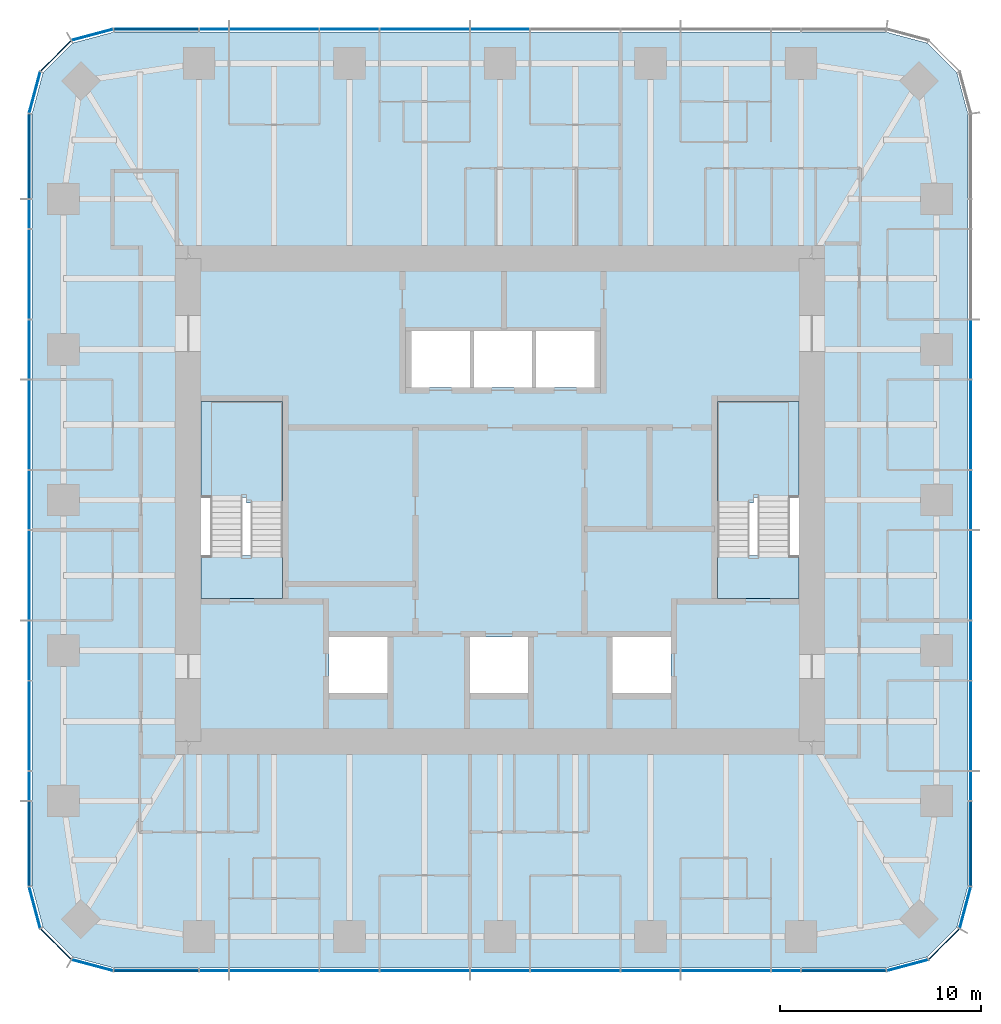
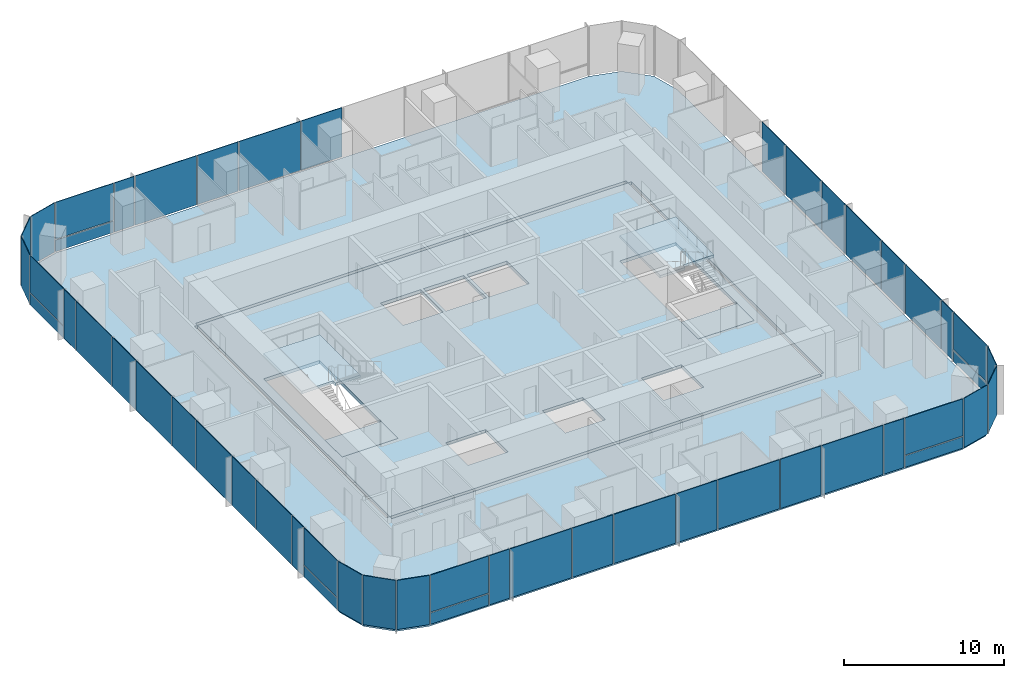
# One storey, part 7 of 12: 51 plates, 6 slabs, 9 elements without a shape of their own.
"""IFC4 building model written with IfcOpenShell, lengths in metres."""

import ifcopenshell
import ifcopenshell.guid

model = None  # the IFC model being written
_history = None  # IfcOwnerHistory: only IFC2X3 demands one
_inside = {}  # id of a spatial element -> (the spatial element, [elements in it])
_under = {}  # id of a project, library or spatial element -> (it, [spatial elements below it])
_declared = {}  # id of a project -> (the project, [libraries it declares])
_typed = {}  # id of a type object -> (the type object, [elements of that type])
_made_of = {}  # id of a material, layer set ... -> (it, [elements and type objects made of it])


def new_model(schema):
    """Start an empty IFC model of exactly this schema.

    Asked for "IFC4X3", IfcOpenShell would pick the latest addendum, in which some entities
    have other attributes; the version numbers below select the first issue.
    IFC2X3 requires an IfcOwnerHistory on every rooted entity: one is made here for all.
    """
    global model, _history
    if schema == "IFC4X3":
        model = ifcopenshell.file(schema_version=(4, 3, 0, 0))
    else:
        model = ifcopenshell.file(schema=schema)
    _inside.clear()
    _under.clear()
    _declared.clear()
    _typed.clear()
    _made_of.clear()
    _history = None
    if model.schema == "IFC2X3":
        org = make("IfcOrganization", Name="unknown")
        user = make(
            "IfcPersonAndOrganization",
            ThePerson=make("IfcPerson", FamilyName="unknown"),
            TheOrganization=org,
        )
        app = make(
            "IfcApplication",
            ApplicationDeveloper=org,
            Version="unknown",
            ApplicationFullName="unknown",
            ApplicationIdentifier="unknown",
        )
        _history = make(
            "IfcOwnerHistory",
            OwningUser=user,
            OwningApplication=app,
            ChangeAction="ADDED",
            CreationDate=0,
        )
    return model


def make(cls, **values):
    """One entity of the class cls with the attributes given. An attribute that is None is left unset."""
    return model.create_entity(
        cls, **{name: value for name, value in values.items() if value is not None}
    )


def rooted(cls, **values):
    """An entity with a GlobalId (a new one), such as an element, a storey or a relation."""
    return make(cls, GlobalId=ifcopenshell.guid.new(), OwnerHistory=_history, **values)


def si_unit(unit_type, name, prefix=None):
    """IfcSIUnit, for example si_unit("LENGTHUNIT", "METRE", prefix="MILLI")."""
    return make("IfcSIUnit", UnitType=unit_type, Prefix=prefix, Name=name)


def assignment(units):
    """IfcUnitAssignment: the units of a project."""
    return None if units is None else make("IfcUnitAssignment", Units=units)


def point(xyz):
    """IfcCartesianPoint."""
    return None if xyz is None else make("IfcCartesianPoint", Coordinates=xyz)


def direction(xyz):
    """IfcDirection."""
    return None if xyz is None else make("IfcDirection", DirectionRatios=xyz)


def frame(location, z_axis=None, x_axis=None):
    """IfcAxis2Placement3D, a coordinate frame: its origin and axes. An axis left out is left unset."""
    return make(
        "IfcAxis2Placement3D",
        Location=point(location),
        Axis=direction(z_axis),
        RefDirection=direction(x_axis),
    )


def frame_2d(location, x_axis=None):
    """IfcAxis2Placement2D, a coordinate frame in the plane: its origin and x axis."""
    return make(
        "IfcAxis2Placement2D", Location=point(location), RefDirection=direction(x_axis)
    )


def origin():
    """The frame at (0, 0, 0) with its axes left unset."""
    return frame((0.0, 0.0, 0.0))


def origin_2d():
    """The frame at (0, 0) in the plane with its x axis left unset."""
    return frame_2d((0.0, 0.0))


def place(relative_to, where):
    """IfcLocalPlacement: puts the frame where relative to a parent placement (None: the world)."""
    return make(
        "IfcLocalPlacement", PlacementRelTo=relative_to, RelativePlacement=where
    )


def context(
    kind, dimensions, precision=None, world=None, true_north=None, identifier=None
):
    """IfcGeometricRepresentationContext, for example the 3D "Model" context."""
    return make(
        "IfcGeometricRepresentationContext",
        ContextIdentifier=identifier,
        ContextType=kind,
        CoordinateSpaceDimension=dimensions,
        Precision=precision,
        WorldCoordinateSystem=world,
        TrueNorth=true_north,
    )


def subcontext(parent, identifier, kind, view, scale=None):
    """IfcGeometricRepresentationSubContext, for example "Body" below "Model"."""
    return make(
        "IfcGeometricRepresentationSubContext",
        ContextIdentifier=identifier,
        ContextType=kind,
        ParentContext=parent,
        TargetScale=scale,
        TargetView=view,
    )


def project(units=None, contexts=None):
    """IfcProject with its units and contexts."""
    return rooted(
        "IfcProject",
        Name="project",
        RepresentationContexts=contexts,
        UnitsInContext=assignment(units),
    )


def spatial(cls, under=None, at=None, **own):
    """A site, building, storey or space (cls), placed at a placement, below another one or the project."""
    s = rooted(cls, ObjectPlacement=at, **own)
    if under is not None:
        _under.setdefault(under.id(), (under, []))[1].append(s)
    return s


def polyline(points):
    """IfcPolyline through the points."""
    return make("IfcPolyline", Points=[point(p) for p in points])


def profile(cls, at=None, kind="AREA", **sizes):
    """A parametric profile (cls). Its sizes go by their IFC names, for example OverallWidth=200.0."""
    return make(cls, ProfileType=kind, Position=at, **sizes)


def rectangle(**sizes):
    """IfcRectangleProfileDef."""
    return profile("IfcRectangleProfileDef", **sizes)


def outline(outer, holes=None, kind="AREA"):
    """IfcArbitraryClosedProfileDef: a profile drawn as a closed curve; with holes, ...WithVoids."""
    if holes is None:
        return make("IfcArbitraryClosedProfileDef", ProfileType=kind, OuterCurve=outer)
    return make(
        "IfcArbitraryProfileDefWithVoids",
        ProfileType=kind,
        OuterCurve=outer,
        InnerCurves=holes,
    )


def extrude(swept, where, along, depth):
    """IfcExtrudedAreaSolid: the profile swept, set in the frame where, extruded along a direction by depth."""
    return make(
        "IfcExtrudedAreaSolid",
        SweptArea=swept,
        Position=where,
        ExtrudedDirection=direction(along),
        Depth=depth,
    )


def shape(context_of_items, identifier, shape_type, items):
    """IfcShapeRepresentation: the items that make up one representation, for example the "Body"."""
    return make(
        "IfcShapeRepresentation",
        ContextOfItems=context_of_items,
        RepresentationIdentifier=identifier,
        RepresentationType=shape_type,
        Items=items,
    )


def material(Name=None, Category=None):
    """IfcMaterial."""
    return make("IfcMaterial", Name=Name, Category=Category)


def layer(
    of_material, thickness, ventilated=None, Name=None, Category=None, Priority=None
):
    """IfcMaterialLayer: one layer of a wall or slab, of a material (None: an air gap)."""
    return make(
        "IfcMaterialLayer",
        Material=of_material,
        LayerThickness=thickness,
        IsVentilated=ventilated,
        Name=Name,
        Category=Category,
        Priority=Priority,
    )


def layer_set(layers, Name=None):
    """IfcMaterialLayerSet."""
    return make("IfcMaterialLayerSet", MaterialLayers=layers, LayerSetName=Name)


def made_of(thing, what):
    """Note that an element or type object is made of a material, layer set ...; save() writes the relation."""
    if what is not None:
        _made_of.setdefault(what.id(), (what, []))[1].append(thing)
    return thing


def type_object(cls, material=None, **own):
    """A type object (cls), such as IfcWallType, which elements share."""
    return made_of(rooted(cls, **own), material)


def element(
    cls,
    number,
    at=None,
    inside=None,
    cuts=None,
    type_object=None,
    material=None,
    context=None,
    identifier="Body",
    shape_type=None,
    held_by="IfcProductDefinitionShape",
    body=None,
    shapes=None,
    **own,
):
    """One element of the class cls, such as IfcWall. Its Tag is "e" and its number.

    at: its placement. inside: the storey or other place that contains it. cuts: it is an
    opening in that element (IfcRelVoidsElement). A single representation is given by context,
    identifier, shape_type and body (its items); several are given by shapes. held_by: the class
    of the entity that holds the representations. save() writes the other relations.
    """
    e = rooted(cls, Tag="e%d" % number, ObjectPlacement=at, **own)
    if body is not None:
        shapes = [shape(context, identifier, shape_type, body)]
    if shapes is not None:
        e.Representation = make(held_by, Representations=shapes)
    if inside is not None:
        _inside.setdefault(inside.id(), (inside, []))[1].append(e)
    if cuts is not None:
        rooted(
            "IfcRelVoidsElement", RelatingBuildingElement=cuts, RelatedOpeningElement=e
        )
    if type_object is not None:
        _typed.setdefault(type_object.id(), (type_object, []))[1].append(e)
    return made_of(e, material)


def aggregate(whole, parts):
    """IfcRelAggregates: a whole, such as a stair, and the parts it consists of."""
    return rooted("IfcRelAggregates", RelatingObject=whole, RelatedObjects=parts)


def save(model, path):
    """Write the relations noted so far, then the file.

    IfcRelAggregates (storeys below a building ...), IfcRelContainedInSpatialStructure (elements
    in a storey), IfcRelDefinesByType, IfcRelAssociatesMaterial and IfcRelDeclares: one each for
    every whole, place, type object, material and project.
    """
    for whole, parts in _under.values():
        aggregate(whole, parts)
    for where, things in _inside.values():
        rooted(
            "IfcRelContainedInSpatialStructure",
            RelatedElements=things,
            RelatingStructure=where,
        )
    for kind, things in _typed.values():
        rooted("IfcRelDefinesByType", RelatedObjects=things, RelatingType=kind)
    for what, things in _made_of.values():
        rooted("IfcRelAssociatesMaterial", RelatedObjects=things, RelatingMaterial=what)
    for by, libraries in _declared.values():
        rooted("IfcRelDeclares", RelatingContext=by, RelatedDefinitions=libraries)
    model.write(path)


model = new_model("IFC4")

# Units and contexts
model_context = context("Model", 3, precision=1e-05, world=origin(), true_north=direction((0.0, 1.0)))
body_context = subcontext(model_context, "Body", "Model", "MODEL_VIEW")
ifc_project = project(units=[si_unit("LENGTHUNIT", "METRE"), si_unit("AREAUNIT", "SQUARE_METRE"), si_unit("VOLUMEUNIT", "CUBIC_METRE"), si_unit("PLANEANGLEUNIT", "RADIAN"), si_unit("MASSUNIT", "GRAM", prefix="KILO")], contexts=[model_context])

# Site, building, storey
site_placement = place(None, origin())
site = spatial("IfcSite", under=ifc_project, at=site_placement, CompositionType="ELEMENT")
building_placement = place(site_placement, origin())
building = spatial("IfcBuilding", under=site, at=building_placement, Name="Khuree Lantern Residences", CompositionType="ELEMENT")
storey_placement = place(building_placement, frame((0.0, 0.0, 327.0)))
storey = spatial("IfcBuildingStorey", under=building, at=storey_placement, Name="L82", CompositionType="ELEMENT", Elevation=327.0)

# Slab
ifc_material_1 = material(Name="Concrete C35/45", Category="concrete")
ifc_layer_1 = layer(ifc_material_1, 0.25)
ifc_layer_set_1 = layer_set([ifc_layer_1], Name="CFL250 CORE FLOOR SLAB 250")
slab_type_1 = type_object("IfcSlabType", Name="CFL250 CORE FLOOR SLAB 250", PredefinedType="FLOOR", material=ifc_layer_set_1)
slab_1_placement = place(storey_placement, frame((0.0, 0.0, -0.25)))
element("IfcSlab", 1, at=slab_1_placement, inside=storey, type_object=slab_type_1, Name="Core floor L82", PredefinedType="FLOOR", context=body_context, shape_type="SweptSolid", body=[
    extrude(outline(polyline([(-15.5, -12.0), (-15.5, 12.0), (15.5, 12.0), (15.5, -12.0), (-15.5, -12.0)]), holes=[polyline([(10.800048828125, 4.89990234375), (10.800048828125, -4.89990234375), (14.85009765625, -4.89990234375), (14.85009765625, 4.89990234375), (10.800048828125, 4.89990234375)]), polyline([(5.60009765625, -6.800048828125), (5.60009765625, -9.60009765625), (8.5, -9.60009765625), (8.5, -6.800048828125), (5.60009765625, -6.800048828125)]), polyline([(1.800048828125, 8.39990234375), (1.800048828125, 5.60009765625), (4.699951171875, 5.60009765625), (4.699951171875, 8.39990234375), (1.800048828125, 8.39990234375)]), polyline([(-1.300048828125, 8.39990234375), (-1.300048828125, 5.60009765625), (1.60009765625, 5.60009765625), (1.60009765625, 8.39990234375), (-1.300048828125, 8.39990234375)]), polyline([(-1.5, -6.800048828125), (-1.5, -9.60009765625), (1.39990234375, -9.60009765625), (1.39990234375, -6.800048828125), (-1.5, -6.800048828125)]), polyline([(-4.39990234375, 8.39990234375), (-4.39990234375, 5.60009765625), (-1.5, 5.60009765625), (-1.5, 8.39990234375), (-4.39990234375, 8.39990234375)]), polyline([(-8.5, -6.800048828125), (-8.5, -9.60009765625), (-5.60009765625, -9.60009765625), (-5.60009765625, -6.800048828125), (-8.5, -6.800048828125)]), polyline([(-14.85009765625, 4.89990234375), (-14.85009765625, -4.89990234375), (-10.800048828125, -4.89990234375), (-10.800048828125, 4.89990234375), (-14.85009765625, 4.89990234375)])]), origin(), (0.0, 0.0, 1.0), 0.25),
])

# Curtain wall, plates
ifc_material_2 = material(Name="Bronze anodised aluminium", Category="aluminium")
curtain_wall_type_1 = type_object("IfcCurtainWallType", Name="CW-T2 TOWER CORNER CURTAIN WALL", PredefinedType="USERDEFINED", material=ifc_material_2)
curtain_wall_1_placement = place(storey_placement, origin())
curtain_wall_1 = element("IfcCurtainWall", 2, at=curtain_wall_1_placement, inside=storey, type_object=curtain_wall_type_1, Name="L82 SOUTH-EAST CORNER CURTAIN WALL", ObjectType="Faceted corner curtain wall", PredefinedType="USERDEFINED")
ifc_material_3 = material(Name="Bronze tinted triple glazing", Category="glass")
ifc_layer_2 = layer(ifc_material_3, 0.048095703125)
ifc_layer_set_2 = layer_set([ifc_layer_2], Name="FACET PANEL P4")
plate_type_1 = type_object("IfcPlateType", Name="FACET PANEL P4", PredefinedType="CURTAIN_PANEL", material=ifc_layer_set_2)
plate_1_placement = place(storey_placement, frame((20.248046875, -23.119140625, 0.0), z_axis=(0.0, 0.0, 1.0), x_axis=(0.965925861257, 0.2588189146, 0.0)))
plate_1 = element("IfcPlate", 3, at=plate_1_placement, type_object=plate_type_1, Name="L82 SOUTH-EAST CORNER PANEL 1.1", PredefinedType="CURTAIN_PANEL", context=body_context, shape_type="SweptSolid", body=[
    extrude(rectangle(XDim=2.09814453125, YDim=0.048095703125, at=origin_2d()), origin(), (0.0, 0.0, 1.0), 3.75),
])
plate_2_placement = place(storey_placement, frame((22.068603515625, -22.068603515625, 0.0), z_axis=(0.0, 0.0, 1.0), x_axis=(0.707106781187, 0.707106781187, 0.0)))
plate_2 = element("IfcPlate", 4, at=plate_2_placement, type_object=plate_type_1, Name="L82 SOUTH-EAST CORNER PANEL 2.1", PredefinedType="CURTAIN_PANEL", context=body_context, shape_type="SweptSolid", body=[
    extrude(rectangle(XDim=2.093994140625, YDim=0.048095703125, at=origin_2d()), origin(), (0.0, 0.0, 1.0), 3.75),
])
plate_3_placement = place(storey_placement, frame((23.119140625, -20.248046875, 0.0), z_axis=(0.0, 0.0, 1.0), x_axis=(0.2588189146, 0.965925861257, 0.0)))
plate_3 = element("IfcPlate", 5, at=plate_3_placement, type_object=plate_type_1, Name="L82 SOUTH-EAST CORNER PANEL 3.1", PredefinedType="CURTAIN_PANEL", context=body_context, shape_type="SweptSolid", body=[
    extrude(rectangle(XDim=2.09814453125, YDim=0.048095703125, at=origin_2d()), origin(), (0.0, 0.0, 1.0), 3.75),
])
aggregate(curtain_wall_1, [plate_1, plate_2, plate_3])

curtain_wall_2_placement = place(storey_placement, origin())
curtain_wall_2 = element("IfcCurtainWall", 6, at=curtain_wall_2_placement, inside=storey, type_object=curtain_wall_type_1, Name="L82 NORTH-WEST CORNER CURTAIN WALL", ObjectType="Faceted corner curtain wall", PredefinedType="USERDEFINED")
plate_4_placement = place(storey_placement, frame((-20.248046875, 23.119140625, 0.0), z_axis=(0.0, 0.0, 1.0), x_axis=(-0.965925861257, -0.2588189146, 0.0)))
plate_4 = element("IfcPlate", 7, at=plate_4_placement, type_object=plate_type_1, Name="L82 NORTH-WEST CORNER PANEL 29.1", PredefinedType="CURTAIN_PANEL", context=body_context, shape_type="SweptSolid", body=[
    extrude(rectangle(XDim=2.09814453125, YDim=0.048095703125, at=origin_2d()), origin(), (0.0, 0.0, 1.0), 3.75),
])
plate_5_placement = place(storey_placement, frame((-22.068603515625, 22.068603515625, 0.0), z_axis=(0.0, 0.0, 1.0), x_axis=(-0.707106781187, -0.707106781187, 0.0)))
plate_5 = element("IfcPlate", 8, at=plate_5_placement, type_object=plate_type_1, Name="L82 NORTH-WEST CORNER PANEL 30.1", PredefinedType="CURTAIN_PANEL", context=body_context, shape_type="SweptSolid", body=[
    extrude(rectangle(XDim=2.093994140625, YDim=0.048095703125, at=origin_2d()), origin(), (0.0, 0.0, 1.0), 3.75),
])
plate_6_placement = place(storey_placement, frame((-23.119140625, 20.248046875, 0.0), z_axis=(0.0, 0.0, 1.0), x_axis=(-0.2588189146, -0.965925861257, 0.0)))
plate_6 = element("IfcPlate", 9, at=plate_6_placement, type_object=plate_type_1, Name="L82 NORTH-WEST CORNER PANEL 31.1", PredefinedType="CURTAIN_PANEL", context=body_context, shape_type="SweptSolid", body=[
    extrude(rectangle(XDim=2.09814453125, YDim=0.048095703125, at=origin_2d()), origin(), (0.0, 0.0, 1.0), 3.75),
])
aggregate(curtain_wall_2, [plate_4, plate_5, plate_6])

curtain_wall_3_placement = place(storey_placement, origin())
curtain_wall_3 = element("IfcCurtainWall", 10, at=curtain_wall_3_placement, inside=storey, type_object=curtain_wall_type_1, Name="L82 SOUTH-WEST CORNER CURTAIN WALL", ObjectType="Faceted corner curtain wall", PredefinedType="USERDEFINED")
plate_7_placement = place(storey_placement, frame((-23.119140625, -20.248046875, 0.0), z_axis=(0.0, 0.0, 1.0), x_axis=(0.2588189146, -0.965925861257, 0.0)))
plate_7 = element("IfcPlate", 11, at=plate_7_placement, type_object=plate_type_1, Name="L82 SOUTH-WEST CORNER PANEL 43.1", PredefinedType="CURTAIN_PANEL", context=body_context, shape_type="SweptSolid", body=[
    extrude(rectangle(XDim=2.09814453125, YDim=0.048095703125, at=origin_2d()), origin(), (0.0, 0.0, 1.0), 3.75),
])
plate_8_placement = place(storey_placement, frame((-22.068603515625, -22.068603515625, 0.0), z_axis=(0.0, 0.0, 1.0), x_axis=(0.707106781187, -0.707106781187, 0.0)))
plate_8 = element("IfcPlate", 12, at=plate_8_placement, type_object=plate_type_1, Name="L82 SOUTH-WEST CORNER PANEL 44.1", PredefinedType="CURTAIN_PANEL", context=body_context, shape_type="SweptSolid", body=[
    extrude(rectangle(XDim=2.093994140625, YDim=0.048095703125, at=origin_2d()), origin(), (0.0, 0.0, 1.0), 3.75),
])
plate_9_placement = place(storey_placement, frame((-20.248046875, -23.119140625, 0.0), z_axis=(0.0, 0.0, 1.0), x_axis=(0.965925861257, -0.2588189146, 0.0)))
plate_9 = element("IfcPlate", 13, at=plate_9_placement, type_object=plate_type_1, Name="L82 SOUTH-WEST CORNER PANEL 45.1", PredefinedType="CURTAIN_PANEL", context=body_context, shape_type="SweptSolid", body=[
    extrude(rectangle(XDim=2.09814453125, YDim=0.048095703125, at=origin_2d()), origin(), (0.0, 0.0, 1.0), 3.75),
])
aggregate(curtain_wall_3, [plate_7, plate_8, plate_9])

curtain_wall_type_2 = type_object("IfcCurtainWallType", Name="CW-T1 TOWER FACE CURTAIN WALL", PredefinedType="USERDEFINED", material=ifc_material_2)
curtain_wall_4_placement = place(storey_placement, origin())
curtain_wall_4 = element("IfcCurtainWall", 14, at=curtain_wall_4_placement, inside=storey, type_object=curtain_wall_type_2, Name="L82 EAST FACE CURTAIN WALL", ObjectType="Stick-built curtain wall", PredefinedType="USERDEFINED")
ifc_material_4 = material(Name="Bronze tinted triple glazing with a ceramic-fritted spandrel band", Category="glass")
ifc_layer_3 = layer(ifc_material_4, 0.048095703125)
ifc_layer_set_3 = layer_set([ifc_layer_3], Name="FIXED LIGHT PANEL P11")
plate_type_2 = type_object("IfcPlateType", Name="FIXED LIGHT PANEL P11", PredefinedType="CURTAIN_PANEL", material=ifc_layer_set_3)
plate_10_placement = place(storey_placement, frame((23.39990234375, -11.219970703125, 0.0), z_axis=(0.0, 0.0, 1.0), x_axis=(0.0, 1.0, 0.0)))
plate_10 = element("IfcPlate", 15, at=plate_10_placement, type_object=plate_type_2, Name="L82 EAST FACE PANEL 6.1", PredefinedType="CURTAIN_PANEL", context=body_context, shape_type="SweptSolid", body=[
    extrude(rectangle(XDim=4.423095703125, YDim=0.048095703125, at=origin_2d()), origin(), (0.0, 0.0, 1.0), 3.75),
])
plate_11_placement = place(storey_placement, frame((23.39990234375, -3.739990234375, 0.0), z_axis=(0.0, 0.0, 1.0), x_axis=(0.0, 1.0, 0.0)))
plate_11 = element("IfcPlate", 16, at=plate_11_placement, type_object=plate_type_2, Name="L82 EAST FACE PANEL 8.1", PredefinedType="CURTAIN_PANEL", context=body_context, shape_type="SweptSolid", body=[
    extrude(rectangle(XDim=4.423095703125, YDim=0.048095703125, at=origin_2d()), origin(), (0.0, 0.0, 1.0), 3.75),
])
plate_12_placement = place(storey_placement, frame((23.39990234375, 3.739990234375, 0.0), z_axis=(0.0, 0.0, 1.0), x_axis=(0.0, 1.0, 0.0)))
plate_12 = element("IfcPlate", 17, at=plate_12_placement, type_object=plate_type_2, Name="L82 EAST FACE PANEL 10.1", PredefinedType="CURTAIN_PANEL", context=body_context, shape_type="SweptSolid", body=[
    extrude(rectangle(XDim=4.423095703125, YDim=0.048095703125, at=origin_2d()), origin(), (0.0, 0.0, 1.0), 3.75),
])

curtain_wall_5_placement = place(storey_placement, origin())
curtain_wall_5 = element("IfcCurtainWall", 18, at=curtain_wall_5_placement, inside=storey, type_object=curtain_wall_type_2, Name="L82 NORTH FACE CURTAIN WALL", ObjectType="Stick-built curtain wall", PredefinedType="USERDEFINED")
plate_13_placement = place(storey_placement, frame((-3.739990234375, 23.39990234375, 0.0), z_axis=(0.0, 0.0, 1.0), x_axis=(-1.0, 0.0, 0.0)))
plate_13 = element("IfcPlate", 19, at=plate_13_placement, type_object=plate_type_2, Name="L82 NORTH FACE PANEL 24.1", PredefinedType="CURTAIN_PANEL", context=body_context, shape_type="SweptSolid", body=[
    extrude(rectangle(XDim=4.423095703125, YDim=0.048095703125, at=origin_2d()), origin(), (0.0, 0.0, 1.0), 3.75),
])
plate_14_placement = place(storey_placement, frame((-11.219970703125, 23.39990234375, 0.0), z_axis=(0.0, 0.0, 1.0), x_axis=(-1.0, 0.0, 0.0)))
plate_14 = element("IfcPlate", 20, at=plate_14_placement, type_object=plate_type_2, Name="L82 NORTH FACE PANEL 26.1", PredefinedType="CURTAIN_PANEL", context=body_context, shape_type="SweptSolid", body=[
    extrude(rectangle(XDim=4.423095703125, YDim=0.048095703125, at=origin_2d()), origin(), (0.0, 0.0, 1.0), 3.75),
])

curtain_wall_6_placement = place(storey_placement, origin())
curtain_wall_6 = element("IfcCurtainWall", 21, at=curtain_wall_6_placement, inside=storey, type_object=curtain_wall_type_2, Name="L82 WEST FACE CURTAIN WALL", ObjectType="Stick-built curtain wall", PredefinedType="USERDEFINED")
plate_15_placement = place(storey_placement, frame((-23.39990234375, 11.219970703125, 0.0), z_axis=(0.0, 0.0, 1.0), x_axis=(0.0, -1.0, 0.0)))
plate_15 = element("IfcPlate", 22, at=plate_15_placement, type_object=plate_type_2, Name="L82 WEST FACE PANEL 34.1", PredefinedType="CURTAIN_PANEL", context=body_context, shape_type="SweptSolid", body=[
    extrude(rectangle(XDim=4.423095703125, YDim=0.048095703125, at=origin_2d()), origin(), (0.0, 0.0, 1.0), 3.75),
])
plate_16_placement = place(storey_placement, frame((-23.39990234375, 3.739990234375, 0.0), z_axis=(0.0, 0.0, 1.0), x_axis=(0.0, -1.0, 0.0)))
plate_16 = element("IfcPlate", 23, at=plate_16_placement, type_object=plate_type_2, Name="L82 WEST FACE PANEL 36.1", PredefinedType="CURTAIN_PANEL", context=body_context, shape_type="SweptSolid", body=[
    extrude(rectangle(XDim=4.423095703125, YDim=0.048095703125, at=origin_2d()), origin(), (0.0, 0.0, 1.0), 3.75),
])
plate_17_placement = place(storey_placement, frame((-23.39990234375, -3.739990234375, 0.0), z_axis=(0.0, 0.0, 1.0), x_axis=(0.0, -1.0, 0.0)))
plate_17 = element("IfcPlate", 24, at=plate_17_placement, type_object=plate_type_2, Name="L82 WEST FACE PANEL 38.1", PredefinedType="CURTAIN_PANEL", context=body_context, shape_type="SweptSolid", body=[
    extrude(rectangle(XDim=4.423095703125, YDim=0.048095703125, at=origin_2d()), origin(), (0.0, 0.0, 1.0), 3.75),
])
plate_18_placement = place(storey_placement, frame((-23.39990234375, -11.219970703125, 0.0), z_axis=(0.0, 0.0, 1.0), x_axis=(0.0, -1.0, 0.0)))
plate_18 = element("IfcPlate", 25, at=plate_18_placement, type_object=plate_type_2, Name="L82 WEST FACE PANEL 40.1", PredefinedType="CURTAIN_PANEL", context=body_context, shape_type="SweptSolid", body=[
    extrude(rectangle(XDim=4.423095703125, YDim=0.048095703125, at=origin_2d()), origin(), (0.0, 0.0, 1.0), 3.75),
])

curtain_wall_7_placement = place(storey_placement, origin())
curtain_wall_7 = element("IfcCurtainWall", 26, at=curtain_wall_7_placement, inside=storey, type_object=curtain_wall_type_2, Name="L82 SOUTH FACE CURTAIN WALL", ObjectType="Stick-built curtain wall", PredefinedType="USERDEFINED")
plate_19_placement = place(storey_placement, frame((-11.219970703125, -23.39990234375, 0.0), z_axis=(0.0, 0.0, 1.0), x_axis=(1.0, 0.0, 0.0)))
plate_19 = element("IfcPlate", 27, at=plate_19_placement, type_object=plate_type_2, Name="L82 SOUTH FACE PANEL 48.1", PredefinedType="CURTAIN_PANEL", context=body_context, shape_type="SweptSolid", body=[
    extrude(rectangle(XDim=4.423095703125, YDim=0.048095703125, at=origin_2d()), origin(), (0.0, 0.0, 1.0), 3.75),
])
plate_20_placement = place(storey_placement, frame((-3.739990234375, -23.39990234375, 0.0), z_axis=(0.0, 0.0, 1.0), x_axis=(1.0, 0.0, 0.0)))
plate_20 = element("IfcPlate", 28, at=plate_20_placement, type_object=plate_type_2, Name="L82 SOUTH FACE PANEL 50.1", PredefinedType="CURTAIN_PANEL", context=body_context, shape_type="SweptSolid", body=[
    extrude(rectangle(XDim=4.423095703125, YDim=0.048095703125, at=origin_2d()), origin(), (0.0, 0.0, 1.0), 3.75),
])
plate_21_placement = place(storey_placement, frame((3.739990234375, -23.39990234375, 0.0), z_axis=(0.0, 0.0, 1.0), x_axis=(1.0, 0.0, 0.0)))
plate_21 = element("IfcPlate", 29, at=plate_21_placement, type_object=plate_type_2, Name="L82 SOUTH FACE PANEL 52.1", PredefinedType="CURTAIN_PANEL", context=body_context, shape_type="SweptSolid", body=[
    extrude(rectangle(XDim=4.423095703125, YDim=0.048095703125, at=origin_2d()), origin(), (0.0, 0.0, 1.0), 3.75),
])
plate_22_placement = place(storey_placement, frame((11.219970703125, -23.39990234375, 0.0), z_axis=(0.0, 0.0, 1.0), x_axis=(1.0, 0.0, 0.0)))
plate_22 = element("IfcPlate", 30, at=plate_22_placement, type_object=plate_type_2, Name="L82 SOUTH FACE PANEL 54.1", PredefinedType="CURTAIN_PANEL", context=body_context, shape_type="SweptSolid", body=[
    extrude(rectangle(XDim=4.423095703125, YDim=0.048095703125, at=origin_2d()), origin(), (0.0, 0.0, 1.0), 3.75),
])

# Slab
ifc_layer_4 = layer(ifc_material_1, 0.25)
ifc_layer_set_4 = layer_set([ifc_layer_4], Name="FS250 FLOOR SLAB 250")
slab_type_2 = type_object("IfcSlabType", Name="FS250 FLOOR SLAB 250", PredefinedType="FLOOR", material=ifc_layer_set_4)
slab_2_placement = place(storey_placement, frame((0.0, 0.0, -0.25)))
element("IfcSlab", 31, at=slab_2_placement, inside=storey, type_object=slab_type_2, Name="Floor slab L82", PredefinedType="FLOOR", context=body_context, shape_type="SweptSolid", body=[
    extrude(outline(polyline([(-21.22509765625, -22.70751953125), (-22.70751953125, -21.22509765625), (-23.25, -19.199951171875), (-23.25, 19.199951171875), (-22.70751953125, 21.22509765625), (-21.22509765625, 22.70751953125), (-19.199951171875, 23.25), (19.199951171875, 23.25), (21.22509765625, 22.70751953125), (22.70751953125, 21.22509765625), (23.25, 19.199951171875), (23.25, -19.199951171875), (22.70751953125, -21.22509765625), (21.22509765625, -22.70751953125), (19.199951171875, -23.25), (-19.199951171875, -23.25), (-21.22509765625, -22.70751953125)]), holes=[polyline([(15.75, 12.0), (15.5, 12.0), (15.5, 12.25), (-15.5, 12.25), (-15.5, 12.0), (-15.75, 12.0), (-15.75, -12.0), (-15.5, -12.0), (-15.5, -12.25), (15.5, -12.25), (15.5, -12.0), (15.75, -12.0), (15.75, 12.0)])]), origin(), (0.0, 0.0, 1.0), 0.25),
])

# Plate
ifc_material_5 = material(Name="Bronze tinted triple glazing, two aluminium-framed sashes in one frame", Category="aluminium")
ifc_layer_5 = layer(ifc_material_5, 0.048095703125)
ifc_layer_set_5 = layer_set([ifc_layer_5], Name="SASH PAIR PANEL P12")
plate_type_3 = type_object("IfcPlateType", Name="SASH PAIR PANEL P12", PredefinedType="CURTAIN_PANEL", material=ifc_layer_set_5)
plate_23_placement = place(storey_placement, frame((23.39990234375, -7.47998046875, 0.0), z_axis=(0.0, 0.0, 1.0), x_axis=(0.0, 1.0, 0.0)))
plate_23 = element("IfcPlate", 32, at=plate_23_placement, type_object=plate_type_3, Name="L82 EAST FACE PANEL 7.1", PredefinedType="CURTAIN_PANEL", context=body_context, shape_type="SweptSolid", body=[
    extrude(rectangle(XDim=2.927001953125, YDim=0.048095703125, at=origin_2d()), origin(), (0.0, 0.0, 1.0), 3.75),
])

plate_24_placement = place(storey_placement, frame((23.39990234375, 0.0, 0.0), z_axis=(0.0, 0.0, 1.0), x_axis=(0.0, 1.0, 0.0)))
plate_24 = element("IfcPlate", 33, at=plate_24_placement, type_object=plate_type_3, Name="L82 EAST FACE PANEL 9.1", PredefinedType="CURTAIN_PANEL", context=body_context, shape_type="SweptSolid", body=[
    extrude(rectangle(XDim=2.927001953125, YDim=0.048095703125, at=origin_2d()), origin(), (0.0, 0.0, 1.0), 3.75),
])

plate_25_placement = place(storey_placement, frame((23.39990234375, 7.47998046875, 0.0), z_axis=(0.0, 0.0, 1.0), x_axis=(0.0, 1.0, 0.0)))
plate_25 = element("IfcPlate", 34, at=plate_25_placement, type_object=plate_type_3, Name="L82 EAST FACE PANEL 11.1", PredefinedType="CURTAIN_PANEL", context=body_context, shape_type="SweptSolid", body=[
    extrude(rectangle(XDim=2.927001953125, YDim=0.048095703125, at=origin_2d()), origin(), (0.0, 0.0, 1.0), 3.75),
])

plate_26_placement = place(storey_placement, frame((0.0, 23.39990234375, 0.0), z_axis=(0.0, 0.0, 1.0), x_axis=(-1.0, 0.0, 0.0)))
plate_26 = element("IfcPlate", 35, at=plate_26_placement, type_object=plate_type_3, Name="L82 NORTH FACE PANEL 23.1", PredefinedType="CURTAIN_PANEL", context=body_context, shape_type="SweptSolid", body=[
    extrude(rectangle(XDim=2.927001953125, YDim=0.048095703125, at=origin_2d()), origin(), (0.0, 0.0, 1.0), 3.75),
])

plate_27_placement = place(storey_placement, frame((-7.47998046875, 23.39990234375, 0.0), z_axis=(0.0, 0.0, 1.0), x_axis=(-1.0, 0.0, 0.0)))
plate_27 = element("IfcPlate", 36, at=plate_27_placement, type_object=plate_type_3, Name="L82 NORTH FACE PANEL 25.1", PredefinedType="CURTAIN_PANEL", context=body_context, shape_type="SweptSolid", body=[
    extrude(rectangle(XDim=2.927001953125, YDim=0.048095703125, at=origin_2d()), origin(), (0.0, 0.0, 1.0), 3.75),
])

plate_28_placement = place(storey_placement, frame((-23.39990234375, 7.47998046875, 0.0), z_axis=(0.0, 0.0, 1.0), x_axis=(0.0, -1.0, 0.0)))
plate_28 = element("IfcPlate", 37, at=plate_28_placement, type_object=plate_type_3, Name="L82 WEST FACE PANEL 35.1", PredefinedType="CURTAIN_PANEL", context=body_context, shape_type="SweptSolid", body=[
    extrude(rectangle(XDim=2.927001953125, YDim=0.048095703125, at=origin_2d()), origin(), (0.0, 0.0, 1.0), 3.75),
])

plate_29_placement = place(storey_placement, frame((-23.39990234375, 0.0, 0.0), z_axis=(0.0, 0.0, 1.0), x_axis=(0.0, -1.0, 0.0)))
plate_29 = element("IfcPlate", 38, at=plate_29_placement, type_object=plate_type_3, Name="L82 WEST FACE PANEL 37.1", PredefinedType="CURTAIN_PANEL", context=body_context, shape_type="SweptSolid", body=[
    extrude(rectangle(XDim=2.927001953125, YDim=0.048095703125, at=origin_2d()), origin(), (0.0, 0.0, 1.0), 3.75),
])

plate_30_placement = place(storey_placement, frame((-23.39990234375, -7.47998046875, 0.0), z_axis=(0.0, 0.0, 1.0), x_axis=(0.0, -1.0, 0.0)))
plate_30 = element("IfcPlate", 39, at=plate_30_placement, type_object=plate_type_3, Name="L82 WEST FACE PANEL 39.1", PredefinedType="CURTAIN_PANEL", context=body_context, shape_type="SweptSolid", body=[
    extrude(rectangle(XDim=2.927001953125, YDim=0.048095703125, at=origin_2d()), origin(), (0.0, 0.0, 1.0), 3.75),
])

plate_31_placement = place(storey_placement, frame((-7.47998046875, -23.39990234375, 0.0), z_axis=(0.0, 0.0, 1.0), x_axis=(1.0, 0.0, 0.0)))
plate_31 = element("IfcPlate", 40, at=plate_31_placement, type_object=plate_type_3, Name="L82 SOUTH FACE PANEL 49.1", PredefinedType="CURTAIN_PANEL", context=body_context, shape_type="SweptSolid", body=[
    extrude(rectangle(XDim=2.927001953125, YDim=0.048095703125, at=origin_2d()), origin(), (0.0, 0.0, 1.0), 3.75),
])

plate_32_placement = place(storey_placement, frame((0.0, -23.39990234375, 0.0), z_axis=(0.0, 0.0, 1.0), x_axis=(1.0, 0.0, 0.0)))
plate_32 = element("IfcPlate", 41, at=plate_32_placement, type_object=plate_type_3, Name="L82 SOUTH FACE PANEL 51.1", PredefinedType="CURTAIN_PANEL", context=body_context, shape_type="SweptSolid", body=[
    extrude(rectangle(XDim=2.927001953125, YDim=0.048095703125, at=origin_2d()), origin(), (0.0, 0.0, 1.0), 3.75),
])

plate_33_placement = place(storey_placement, frame((7.47998046875, -23.39990234375, 0.0), z_axis=(0.0, 0.0, 1.0), x_axis=(1.0, 0.0, 0.0)))
plate_33 = element("IfcPlate", 42, at=plate_33_placement, type_object=plate_type_3, Name="L82 SOUTH FACE PANEL 53.1", PredefinedType="CURTAIN_PANEL", context=body_context, shape_type="SweptSolid", body=[
    extrude(rectangle(XDim=2.927001953125, YDim=0.048095703125, at=origin_2d()), origin(), (0.0, 0.0, 1.0), 3.75),
])

ifc_material_6 = material(Name="Bronze tinted triple glazing, aluminium-framed sash", Category="aluminium")
ifc_layer_6 = layer(ifc_material_6, 0.048095703125)
ifc_layer_set_6 = layer_set([ifc_layer_6], Name="SASH PANEL P3")
plate_type_4 = type_object("IfcPlateType", Name="SASH PANEL P3", PredefinedType="CURTAIN_PANEL", material=ifc_layer_set_6)
plate_34_placement = place(storey_placement, frame((23.39990234375, -14.2119140625, 0.0), z_axis=(0.0, 0.0, 1.0), x_axis=(0.0, 1.0, 0.0)))
plate_34 = element("IfcPlate", 43, at=plate_34_placement, type_object=plate_type_4, Name="L82 EAST FACE PANEL 5.1", PredefinedType="CURTAIN_PANEL", context=body_context, shape_type="SweptSolid", body=[
    extrude(rectangle(XDim=1.430908203125, YDim=0.048095703125, at=origin_2d()), origin(), (0.0, 0.0, 1.0), 3.75),
])

plate_35_placement = place(storey_placement, frame((-14.2119140625, 23.39990234375, 0.0), z_axis=(0.0, 0.0, 1.0), x_axis=(-1.0, 0.0, 0.0)))
plate_35 = element("IfcPlate", 44, at=plate_35_placement, type_object=plate_type_4, Name="L82 NORTH FACE PANEL 27.1", PredefinedType="CURTAIN_PANEL", context=body_context, shape_type="SweptSolid", body=[
    extrude(rectangle(XDim=1.430908203125, YDim=0.048095703125, at=origin_2d()), origin(), (0.0, 0.0, 1.0), 3.75),
])

plate_36_placement = place(storey_placement, frame((-23.39990234375, 14.2119140625, 0.0), z_axis=(0.0, 0.0, 1.0), x_axis=(0.0, -1.0, 0.0)))
plate_36 = element("IfcPlate", 45, at=plate_36_placement, type_object=plate_type_4, Name="L82 WEST FACE PANEL 33.1", PredefinedType="CURTAIN_PANEL", context=body_context, shape_type="SweptSolid", body=[
    extrude(rectangle(XDim=1.430908203125, YDim=0.048095703125, at=origin_2d()), origin(), (0.0, 0.0, 1.0), 3.75),
])

plate_37_placement = place(storey_placement, frame((-23.39990234375, -14.2119140625, 0.0), z_axis=(0.0, 0.0, 1.0), x_axis=(0.0, -1.0, 0.0)))
plate_37 = element("IfcPlate", 46, at=plate_37_placement, type_object=plate_type_4, Name="L82 WEST FACE PANEL 41.1", PredefinedType="CURTAIN_PANEL", context=body_context, shape_type="SweptSolid", body=[
    extrude(rectangle(XDim=1.430908203125, YDim=0.048095703125, at=origin_2d()), origin(), (0.0, 0.0, 1.0), 3.75),
])

plate_38_placement = place(storey_placement, frame((-14.2119140625, -23.39990234375, 0.0), z_axis=(0.0, 0.0, 1.0), x_axis=(1.0, 0.0, 0.0)))
plate_38 = element("IfcPlate", 47, at=plate_38_placement, type_object=plate_type_4, Name="L82 SOUTH FACE PANEL 47.1", PredefinedType="CURTAIN_PANEL", context=body_context, shape_type="SweptSolid", body=[
    extrude(rectangle(XDim=1.430908203125, YDim=0.048095703125, at=origin_2d()), origin(), (0.0, 0.0, 1.0), 3.75),
])

plate_39_placement = place(storey_placement, frame((14.2119140625, -23.39990234375, 0.0), z_axis=(0.0, 0.0, 1.0), x_axis=(1.0, 0.0, 0.0)))
plate_39 = element("IfcPlate", 48, at=plate_39_placement, type_object=plate_type_4, Name="L82 SOUTH FACE PANEL 55.1", PredefinedType="CURTAIN_PANEL", context=body_context, shape_type="SweptSolid", body=[
    extrude(rectangle(XDim=1.430908203125, YDim=0.048095703125, at=origin_2d()), origin(), (0.0, 0.0, 1.0), 3.75),
])

ifc_material_7 = material(Name="Bronze anodised aluminium insulated spandrel", Category="aluminium")
ifc_layer_7 = layer(ifc_material_7, 0.06005859375)
ifc_layer_set_7 = layer_set([ifc_layer_7], Name="SPANDREL PANEL P2")
plate_type_5 = type_object("IfcPlateType", Name="SPANDREL PANEL P2", PredefinedType="CURTAIN_PANEL", material=ifc_layer_set_7)
plate_40_placement = place(storey_placement, frame((23.39990234375, -17.077880859375, 0.0), z_axis=(0.0, 0.0, 1.0), x_axis=(0.0, 1.0, 0.0)))
plate_40 = element("IfcPlate", 49, at=plate_40_placement, type_object=plate_type_5, Name="L82 EAST FACE PANEL 4.1", PredefinedType="CURTAIN_PANEL", context=body_context, shape_type="SweptSolid", body=[
    extrude(rectangle(XDim=4.170654296875, YDim=0.06005859375, at=origin_2d()), origin(), (0.0, 0.0, 1.0), 0.867431640625),
])

plate_41_placement = place(storey_placement, frame((-17.077880859375, 23.39990234375, 0.0), z_axis=(0.0, 0.0, 1.0), x_axis=(-1.0, 0.0, 0.0)))
plate_41 = element("IfcPlate", 50, at=plate_41_placement, type_object=plate_type_5, Name="L82 NORTH FACE PANEL 28.1", PredefinedType="CURTAIN_PANEL", context=body_context, shape_type="SweptSolid", body=[
    extrude(rectangle(XDim=4.170654296875, YDim=0.06005859375, at=origin_2d()), origin(), (0.0, 0.0, 1.0), 0.867431640625),
])

plate_42_placement = place(storey_placement, frame((-23.39990234375, 17.077880859375, 0.0), z_axis=(0.0, 0.0, 1.0), x_axis=(0.0, -1.0, 0.0)))
plate_42 = element("IfcPlate", 51, at=plate_42_placement, type_object=plate_type_5, Name="L82 WEST FACE PANEL 32.1", PredefinedType="CURTAIN_PANEL", context=body_context, shape_type="SweptSolid", body=[
    extrude(rectangle(XDim=4.170654296875, YDim=0.06005859375, at=origin_2d()), origin(), (0.0, 0.0, 1.0), 0.867431640625),
])

plate_43_placement = place(storey_placement, frame((-23.39990234375, -17.077880859375, 0.0), z_axis=(0.0, 0.0, 1.0), x_axis=(0.0, -1.0, 0.0)))
plate_43 = element("IfcPlate", 52, at=plate_43_placement, type_object=plate_type_5, Name="L82 WEST FACE PANEL 42.1", PredefinedType="CURTAIN_PANEL", context=body_context, shape_type="SweptSolid", body=[
    extrude(rectangle(XDim=4.170654296875, YDim=0.06005859375, at=origin_2d()), origin(), (0.0, 0.0, 1.0), 0.867431640625),
])

plate_44_placement = place(storey_placement, frame((-17.077880859375, -23.39990234375, 0.0), z_axis=(0.0, 0.0, 1.0), x_axis=(1.0, 0.0, 0.0)))
plate_44 = element("IfcPlate", 53, at=plate_44_placement, type_object=plate_type_5, Name="L82 SOUTH FACE PANEL 46.1", PredefinedType="CURTAIN_PANEL", context=body_context, shape_type="SweptSolid", body=[
    extrude(rectangle(XDim=4.170654296875, YDim=0.06005859375, at=origin_2d()), origin(), (0.0, 0.0, 1.0), 0.867431640625),
])

plate_45_placement = place(storey_placement, frame((17.077880859375, -23.39990234375, 0.0), z_axis=(0.0, 0.0, 1.0), x_axis=(1.0, 0.0, 0.0)))
plate_45 = element("IfcPlate", 54, at=plate_45_placement, type_object=plate_type_5, Name="L82 SOUTH FACE PANEL 56.1", PredefinedType="CURTAIN_PANEL", context=body_context, shape_type="SweptSolid", body=[
    extrude(rectangle(XDim=4.170654296875, YDim=0.06005859375, at=origin_2d()), origin(), (0.0, 0.0, 1.0), 0.867431640625),
])

# Stair, slabs
ifc_material_8 = material(Name="Concrete C40/50", Category="concrete")
stair_type = type_object("IfcStairType", Name="STAIR ST1 HALF TURN 3600", PredefinedType="HALF_TURN_STAIR", material=ifc_material_8)
stair_1_placement = place(storey_placement, origin())
stair_1 = element("IfcStair", 55, at=stair_1_placement, inside=storey, type_object=stair_type, Name="Stair ST1", PredefinedType="HALF_TURN_STAIR")
ifc_layer_8 = layer(ifc_material_8, 0.199951171875)
ifc_layer_set_8 = layer_set([ifc_layer_8], Name="STAIR LANDING SL1 200")
slab_type_3 = type_object("IfcSlabType", Name="STAIR LANDING SL1 200", PredefinedType="LANDING", material=ifc_layer_set_8)
slab_3_placement = place(storey_placement, frame((0.0, 0.0, -0.199951171875)))
slab_3 = element("IfcSlab", 56, at=slab_3_placement, type_object=slab_type_3, Name="ST1 landing 1", PredefinedType="LANDING", context=body_context, shape_type="SweptSolid", body=[
    extrude(outline(polyline([(-14.85009765625, -4.89990234375), (-10.800048828125, -4.89990234375), (-10.800048828125, -2.760009765625), (-14.85009765625, -2.760009765625), (-14.85009765625, -4.89990234375)])), origin(), (0.0, 0.0, 1.0), 0.199951171875),
])
slab_4_placement = place(storey_placement, frame((0.0, 0.0, 1.756591796875)))
slab_4 = element("IfcSlab", 57, at=slab_4_placement, type_object=slab_type_3, Name="ST1 landing 2", PredefinedType="LANDING", context=body_context, shape_type="SweptSolid", body=[
    extrude(outline(polyline([(-14.85009765625, 0.1201171875), (-14.85009765625, 4.89990234375), (-10.800048828125, 4.89990234375), (-10.800048828125, -0.159912109375), (-12.60009765625, -0.159912109375), (-12.60009765625, 0.1201171875), (-14.85009765625, 0.1201171875)])), origin(), (0.0, 0.0, 1.0), 0.199951171875),
])
aggregate(stair_1, [slab_3, slab_4])

stair_2_placement = place(storey_placement, origin())
stair_2 = element("IfcStair", 58, at=stair_2_placement, inside=storey, type_object=stair_type, Name="Stair ST2", PredefinedType="HALF_TURN_STAIR")
slab_5_placement = place(storey_placement, frame((0.0, 0.0, -0.199951171875)))
slab_5 = element("IfcSlab", 59, at=slab_5_placement, type_object=slab_type_3, Name="ST2 landing 1", PredefinedType="LANDING", context=body_context, shape_type="SweptSolid", body=[
    extrude(outline(polyline([(10.800048828125, -4.89990234375), (14.85009765625, -4.89990234375), (14.85009765625, -2.760009765625), (10.800048828125, -2.760009765625), (10.800048828125, -4.89990234375)])), origin(), (0.0, 0.0, 1.0), 0.199951171875),
])
slab_6_placement = place(storey_placement, frame((0.0, 0.0, 1.756591796875)))
slab_6 = element("IfcSlab", 60, at=slab_6_placement, type_object=slab_type_3, Name="ST2 landing 2", PredefinedType="LANDING", context=body_context, shape_type="SweptSolid", body=[
    extrude(outline(polyline([(14.85009765625, 4.89990234375), (14.85009765625, 0.1201171875), (12.60009765625, 0.1201171875), (12.60009765625, -0.159912109375), (10.800048828125, -0.159912109375), (10.800048828125, 4.89990234375), (14.85009765625, 4.89990234375)])), origin(), (0.0, 0.0, 1.0), 0.199951171875),
])
aggregate(stair_2, [slab_5, slab_6])

# Plate
ifc_layer_9 = layer(ifc_material_3, 0.048095703125)
ifc_layer_set_9 = layer_set([ifc_layer_9], Name="VISION PANEL P1")
plate_type_6 = type_object("IfcPlateType", Name="VISION PANEL P1", PredefinedType="CURTAIN_PANEL", material=ifc_layer_set_9)
plate_46_placement = place(storey_placement, frame((23.39990234375, -17.078369140625, 0.9326171875), z_axis=(0.0, 0.0, 1.0), x_axis=(0.0, 1.0, 0.0)))
plate_46 = element("IfcPlate", 61, at=plate_46_placement, type_object=plate_type_6, Name="L82 EAST FACE PANEL 4.2", PredefinedType="CURTAIN_PANEL", context=body_context, shape_type="SweptSolid", body=[
    extrude(rectangle(XDim=4.171630859375, YDim=0.048095703125, at=origin_2d()), origin(), (0.0, 0.0, 1.0), 2.8173828125),
])

aggregate(curtain_wall_4, [plate_40, plate_46, plate_34, plate_10, plate_23, plate_11, plate_24, plate_12, plate_25])

plate_47_placement = place(storey_placement, frame((-17.078369140625, 23.39990234375, 0.9326171875), z_axis=(0.0, 0.0, 1.0), x_axis=(-1.0, 0.0, 0.0)))
plate_47 = element("IfcPlate", 62, at=plate_47_placement, type_object=plate_type_6, Name="L82 NORTH FACE PANEL 28.2", PredefinedType="CURTAIN_PANEL", context=body_context, shape_type="SweptSolid", body=[
    extrude(rectangle(XDim=4.171630859375, YDim=0.048095703125, at=origin_2d()), origin(), (0.0, 0.0, 1.0), 2.8173828125),
])

aggregate(curtain_wall_5, [plate_26, plate_13, plate_27, plate_14, plate_35, plate_41, plate_47])

plate_48_placement = place(storey_placement, frame((-23.39990234375, 17.078369140625, 0.9326171875), z_axis=(0.0, 0.0, 1.0), x_axis=(0.0, -1.0, 0.0)))
plate_48 = element("IfcPlate", 63, at=plate_48_placement, type_object=plate_type_6, Name="L82 WEST FACE PANEL 32.2", PredefinedType="CURTAIN_PANEL", context=body_context, shape_type="SweptSolid", body=[
    extrude(rectangle(XDim=4.171630859375, YDim=0.048095703125, at=origin_2d()), origin(), (0.0, 0.0, 1.0), 2.8173828125),
])

plate_49_placement = place(storey_placement, frame((-23.39990234375, -17.078369140625, 0.9326171875), z_axis=(0.0, 0.0, 1.0), x_axis=(0.0, -1.0, 0.0)))
plate_49 = element("IfcPlate", 64, at=plate_49_placement, type_object=plate_type_6, Name="L82 WEST FACE PANEL 42.2", PredefinedType="CURTAIN_PANEL", context=body_context, shape_type="SweptSolid", body=[
    extrude(rectangle(XDim=4.171630859375, YDim=0.048095703125, at=origin_2d()), origin(), (0.0, 0.0, 1.0), 2.8173828125),
])

aggregate(curtain_wall_6, [plate_42, plate_48, plate_36, plate_15, plate_28, plate_16, plate_29, plate_17, plate_30, plate_18, plate_37, plate_43, plate_49])

plate_50_placement = place(storey_placement, frame((-17.078369140625, -23.39990234375, 0.9326171875), z_axis=(0.0, 0.0, 1.0), x_axis=(1.0, 0.0, 0.0)))
plate_50 = element("IfcPlate", 65, at=plate_50_placement, type_object=plate_type_6, Name="L82 SOUTH FACE PANEL 46.2", PredefinedType="CURTAIN_PANEL", context=body_context, shape_type="SweptSolid", body=[
    extrude(rectangle(XDim=4.171630859375, YDim=0.048095703125, at=origin_2d()), origin(), (0.0, 0.0, 1.0), 2.8173828125),
])

plate_51_placement = place(storey_placement, frame((17.078369140625, -23.39990234375, 0.9326171875), z_axis=(0.0, 0.0, 1.0), x_axis=(1.0, 0.0, 0.0)))
plate_51 = element("IfcPlate", 66, at=plate_51_placement, type_object=plate_type_6, Name="L82 SOUTH FACE PANEL 56.2", PredefinedType="CURTAIN_PANEL", context=body_context, shape_type="SweptSolid", body=[
    extrude(rectangle(XDim=4.171630859375, YDim=0.048095703125, at=origin_2d()), origin(), (0.0, 0.0, 1.0), 2.8173828125),
])

aggregate(curtain_wall_7, [plate_44, plate_50, plate_38, plate_19, plate_31, plate_20, plate_32, plate_21, plate_33, plate_22, plate_39, plate_45, plate_51])

save(model, "model.ifc")
